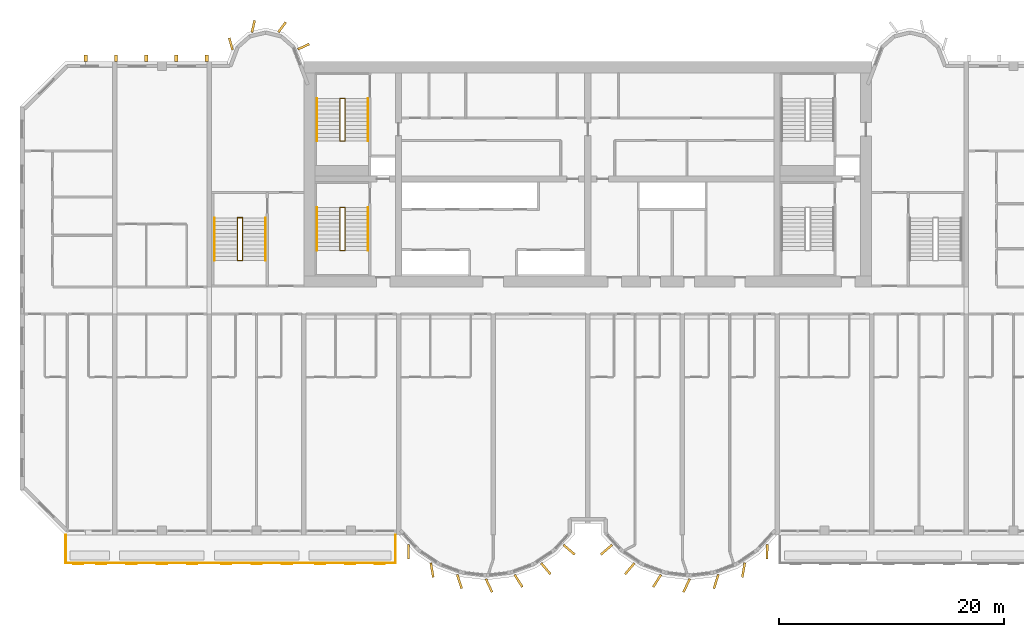
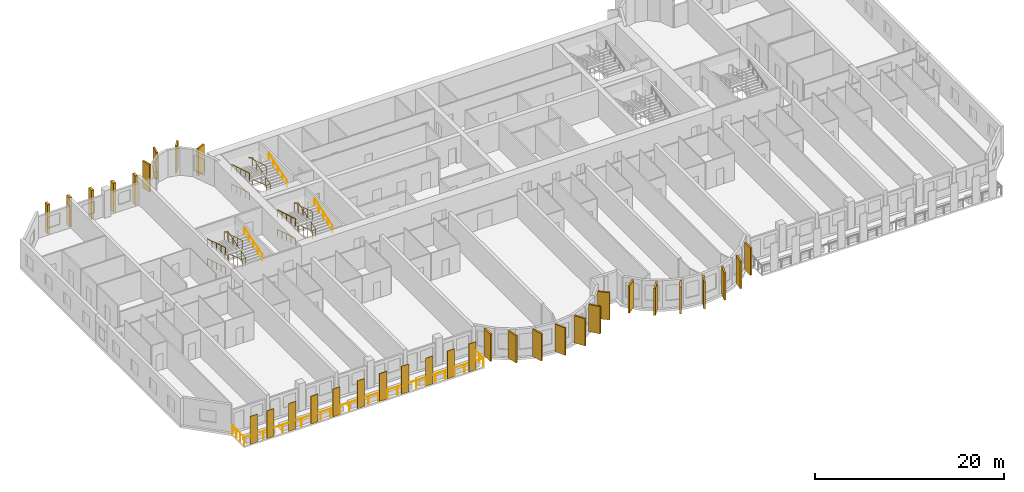
# One storey, part 12 of 14: 34 coverings, 13 railings.
"""IFC4 building model written with IfcOpenShell, lengths in metres."""

from ifc_helpers import new_model, si_unit, direction, frame, origin, origin_2d, place, context, subcontext, project, spatial, rectangle, circle, extrude, source, transform, mapped, material, layer, layer_set, material_profile, profile_set, type_object, element, save


model = new_model("IFC4")

# Units and contexts
model_context = context("Model", 3, precision=1e-05, world=origin(), true_north=direction((0.0, 1.0)))
body_context = subcontext(model_context, "Body", "Model", "MODEL_VIEW")
ifc_project = project(units=[si_unit("LENGTHUNIT", "METRE"), si_unit("AREAUNIT", "SQUARE_METRE"), si_unit("VOLUMEUNIT", "CUBIC_METRE"), si_unit("PLANEANGLEUNIT", "RADIAN"), si_unit("MASSUNIT", "GRAM", prefix="KILO")], contexts=[model_context])

# Site, building, storey
site_placement = place(None, origin())
site = spatial("IfcSite", under=ifc_project, at=site_placement, CompositionType="ELEMENT")
building_placement = place(site_placement, origin())
building = spatial("IfcBuilding", under=site, at=building_placement, Name="Vanashikhar Sky Hotel", CompositionType="ELEMENT")
storey_placement = place(building_placement, frame((0.0, 0.0, 54.39990234375)))
storey = spatial("IfcBuildingStorey", under=building, at=storey_placement, Name="L12", CompositionType="ELEMENT", Elevation=54.39990234375)

# Railing
ifc_material_1 = material(Name="Stainless steel 316", Category="steel")
railing_type_1 = type_object("IfcRailingType", Name="Balcony guard 1100", PredefinedType="GUARDRAIL", material=ifc_material_1)
shared_shape_1 = source(origin(), body_context, "Body", "SweptSolid", [
    extrude(circle(Radius=0.02392578125, at=origin_2d()), frame((0.0, 0.0, 1.076171875), z_axis=(0.0, -1.0, 0.0), x_axis=(1.0, 0.0, 0.0)), (0.0, 0.0, 1.0), 2.5),
    extrude(circle(Radius=0.02392578125, at=origin_2d()), frame((0.0, -2.5, 1.076171875), z_axis=(1.0, 0.0, 0.0), x_axis=(0.0, 1.0, 0.0)), (0.0, 0.0, 1.0), 29.280029296875),
    extrude(circle(Radius=0.02392578125, at=origin_2d()), frame((29.280029296875, -2.5, 1.076171875), z_axis=(0.0, 1.0, 0.0), x_axis=(-1.0, 0.0, 0.0)), (0.0, 0.0, 1.0), 2.5),
    extrude(circle(Radius=0.02099609375, at=origin_2d()), origin(), (0.0, 0.0, 1.0), 1.052001953125),
    extrude(circle(Radius=0.02099609375, at=origin_2d()), frame((0.0, -0.833251953125, 0.0)), (0.0, 0.0, 1.0), 1.052001953125),
    extrude(circle(Radius=0.02099609375, at=origin_2d()), frame((0.0, -1.666748046875, 0.0)), (0.0, 0.0, 1.0), 1.052001953125),
    extrude(circle(Radius=0.02099609375, at=origin_2d()), frame((0.0, -2.5, 0.0)), (0.0, 0.0, 1.0), 1.052001953125),
    extrude(circle(Radius=0.02099609375, at=origin_2d()), frame((1.171142578125, -2.5, 0.0)), (0.0, 0.0, 1.0), 1.052001953125),
    extrude(circle(Radius=0.02099609375, at=origin_2d()), frame((2.34228515625, -2.5, 0.0)), (0.0, 0.0, 1.0), 1.052001953125),
    extrude(circle(Radius=0.02099609375, at=origin_2d()), frame((3.513671875, -2.5, 0.0)), (0.0, 0.0, 1.0), 1.052001953125),
    extrude(circle(Radius=0.02099609375, at=origin_2d()), frame((4.684814453125, -2.5, 0.0)), (0.0, 0.0, 1.0), 1.052001953125),
    extrude(circle(Radius=0.02099609375, at=origin_2d()), frame((5.85595703125, -2.5, 0.0)), (0.0, 0.0, 1.0), 1.052001953125),
    extrude(circle(Radius=0.02099609375, at=origin_2d()), frame((7.027099609375, -2.5, 0.0)), (0.0, 0.0, 1.0), 1.052001953125),
    extrude(circle(Radius=0.02099609375, at=origin_2d()), frame((8.198486328125, -2.5, 0.0)), (0.0, 0.0, 1.0), 1.052001953125),
    extrude(circle(Radius=0.02099609375, at=origin_2d()), frame((9.36962890625, -2.5, 0.0)), (0.0, 0.0, 1.0), 1.052001953125),
    extrude(circle(Radius=0.02099609375, at=origin_2d()), frame((10.540771484375, -2.5, 0.0)), (0.0, 0.0, 1.0), 1.052001953125),
    extrude(circle(Radius=0.02099609375, at=origin_2d()), frame((11.7119140625, -2.5, 0.0)), (0.0, 0.0, 1.0), 1.052001953125),
    extrude(circle(Radius=0.02099609375, at=origin_2d()), frame((12.88330078125, -2.5, 0.0)), (0.0, 0.0, 1.0), 1.052001953125),
    extrude(circle(Radius=0.02099609375, at=origin_2d()), frame((14.054443359375, -2.5, 0.0)), (0.0, 0.0, 1.0), 1.052001953125),
    extrude(circle(Radius=0.02099609375, at=origin_2d()), frame((15.2255859375, -2.5, 0.0)), (0.0, 0.0, 1.0), 1.052001953125),
    extrude(circle(Radius=0.02099609375, at=origin_2d()), frame((16.396728515625, -2.5, 0.0)), (0.0, 0.0, 1.0), 1.052001953125),
    extrude(circle(Radius=0.02099609375, at=origin_2d()), frame((17.568115234375, -2.5, 0.0)), (0.0, 0.0, 1.0), 1.052001953125),
    extrude(circle(Radius=0.02099609375, at=origin_2d()), frame((18.7392578125, -2.5, 0.0)), (0.0, 0.0, 1.0), 1.052001953125),
    extrude(circle(Radius=0.02099609375, at=origin_2d()), frame((19.910400390625, -2.5, 0.0)), (0.0, 0.0, 1.0), 1.052001953125),
    extrude(circle(Radius=0.02099609375, at=origin_2d()), frame((21.08154296875, -2.5, 0.0)), (0.0, 0.0, 1.0), 1.052001953125),
    extrude(circle(Radius=0.02099609375, at=origin_2d()), frame((22.2529296875, -2.5, 0.0)), (0.0, 0.0, 1.0), 1.052001953125),
    extrude(circle(Radius=0.02099609375, at=origin_2d()), frame((23.424072265625, -2.5, 0.0)), (0.0, 0.0, 1.0), 1.052001953125),
    extrude(circle(Radius=0.02099609375, at=origin_2d()), frame((24.59521484375, -2.5, 0.0)), (0.0, 0.0, 1.0), 1.052001953125),
    extrude(circle(Radius=0.02099609375, at=origin_2d()), frame((25.766357421875, -2.5, 0.0)), (0.0, 0.0, 1.0), 1.052001953125),
    extrude(circle(Radius=0.02099609375, at=origin_2d()), frame((26.937744140625, -2.5, 0.0)), (0.0, 0.0, 1.0), 1.052001953125),
    extrude(circle(Radius=0.02099609375, at=origin_2d()), frame((28.10888671875, -2.5, 0.0)), (0.0, 0.0, 1.0), 1.052001953125),
    extrude(circle(Radius=0.02099609375, at=origin_2d()), frame((29.280029296875, -2.5, 0.0)), (0.0, 0.0, 1.0), 1.052001953125),
    extrude(circle(Radius=0.02099609375, at=origin_2d()), frame((29.280029296875, -1.666748046875, 0.0)), (0.0, 0.0, 1.0), 1.052001953125),
    extrude(circle(Radius=0.02099609375, at=origin_2d()), frame((29.280029296875, -0.833251953125, 0.0)), (0.0, 0.0, 1.0), 1.052001953125),
    extrude(circle(Radius=0.02099609375, at=origin_2d()), frame((29.280029296875, 0.0, 0.0)), (0.0, 0.0, 1.0), 1.052001953125),
])
railing_1_placement = place(storey_placement, frame((4.06005859375, 0.0, -0.0498046875)))
element("IfcRailing", 1, at=railing_1_placement, inside=storey, type_object=railing_type_1, Name="Balcony guard", PredefinedType="GUARDRAIL", context=body_context, shape_type="MappedRepresentation", body=[
    mapped(shared_shape_1, transform((0.0, 0.0, 0.0), scale=1.0)),
])

# Coverings
ifc_material_2 = material(Name="Terracotta", Category="masonry")
ifc_layer = layer(ifc_material_2, 0.06005859375)
ifc_layer_set = layer_set([ifc_layer], Name="Terracotta baguette screen")
covering_type_1 = type_object("IfcCoveringType", Name="Terracotta baguette screen", PredefinedType="CLADDING", material=ifc_layer_set)
shared_shape_2 = source(origin(), body_context, "Body", "SweptSolid", [
    extrude(rectangle(XDim=0.89990234375, YDim=0.06005859375, at=origin_2d()), origin(), (0.0, 0.0, 1.0), 3.60009765625),
])
for number, where, z_axis, x_axis, name in (
    (2, (5.175048828125, -2.570068359375, -0.050048828125), (0.0, 0.0, 1.0), (1.0, 0.0, 0.0), "Terracotta screen"),
    (3, (7.22509765625, -2.570068359375, -0.050048828125), (0.0, 0.0, 1.0), (1.0, 0.0, 0.0), "Terracotta screen"),
    (4, (9.89990234375, -2.570068359375, -0.050048828125), (0.0, 0.0, 1.0), (1.0, 0.0, 0.0), "Terracotta screen"),
    (5, (12.60009765625, -2.570068359375, -0.050048828125), (0.0, 0.0, 1.0), (1.0, 0.0, 0.0), "Terracotta screen"),
    (6, (15.300048828125, -2.570068359375, -0.050048828125), (0.0, 0.0, 1.0), (1.0, 0.0, 0.0), "Terracotta screen"),
    (7, (18.300048828125, -2.570068359375, -0.050048828125), (0.0, 0.0, 1.0), (1.0, 0.0, 0.0), "Terracotta screen"),
    (8, (21.0, -2.570068359375, -0.050048828125), (0.0, 0.0, 1.0), (1.0, 0.0, 0.0), "Terracotta screen"),
    (9, (23.699951171875, -2.570068359375, -0.050048828125), (0.0, 0.0, 1.0), (1.0, 0.0, 0.0), "Terracotta screen"),
    (10, (26.666748046875, -2.570068359375, -0.050048828125), (0.0, 0.0, 1.0), (1.0, 0.0, 0.0), "Terracotta screen"),
    (11, (29.300048828125, -2.570068359375, -0.050048828125), (0.0, 0.0, 1.0), (1.0, 0.0, 0.0), "Terracotta screen"),
    (12, (31.933349609375, -2.570068359375, -0.050048828125), (0.0, 0.0, 1.0), (1.0, 0.0, 0.0), "Terracotta screen"),
):
    element("IfcCovering", number, at=place(storey_placement, frame(where, z_axis=z_axis, x_axis=x_axis)), inside=storey, type_object=covering_type_1, Name=name, PredefinedType="CLADDING", context=body_context, shape_type="MappedRepresentation", body=[
        mapped(shared_shape_2, transform((0.0, 0.0, 0.0), scale=1.0)),
    ])
ifc_material_3 = material(Name="Concrete M60 dark", Category="concrete")
ifc_material_profile_1 = material_profile(ifc_material_3, rectangle(XDim=1.300048828125, YDim=0.199951171875, at=origin_2d()))
ifc_profile_set_1 = profile_set([ifc_material_profile_1], Name="Fin 1300 x 200")
covering_type_2 = type_object("IfcCoveringType", Name="Fin 1300 x 200", PredefinedType="CLADDING", material=ifc_profile_set_1)
shared_shape_3 = source(origin(), body_context, "Body", "SweptSolid", [
    extrude(rectangle(XDim=1.300048828125, YDim=0.199951171875, at=origin_2d()), origin(), (0.0, 0.0, 1.0), 3.52001953125),
])
for number, where, z_axis, x_axis, name in (
    (13, (34.482421875, -1.507080078125, 0.0), (0.0, 0.0, 1.0), (0.011588726826, -0.999932848451, 0.0), "Fin F1-1"),
    (14, (36.572509765625, -3.1220703125, 0.0), (0.0, 0.0, 1.0), (0.16989991575, -0.985461322746, 0.0), "Fin F1-2"),
    (15, (39.00830078125, -4.14306640625, 0.0), (0.0, 0.0, 1.0), (0.303966551867, -0.952682704444, 0.0), "Fin F1-3"),
    (16, (41.63232421875, -4.49853515625, 0.0), (0.0, 0.0, 1.0), (0.422618261741, -0.906307787037, 0.0), "Fin F1-4"),
    (17, (44.251953125, -4.083984375, 0.0), (0.0, 0.0, 1.0), (0.534411358496, -0.845224526331, 0.0), "Fin F1-5"),
    (18, (46.676025390625, -3.0, 0.0), (0.0, 0.0, 1.0), (0.645697609467, -0.763593214433, 0.0), "Fin F1-6"),
    (19, (48.7412109375, -1.3154296875, 0.0), (0.0, 0.0, 1.0), (0.758543912032, -0.65162192529, 0.0), "Fin F1-7"),
    (20, (52.058837890625, -1.3154296875, 0.0), (0.0, 0.0, 1.0), (-0.758543912032, -0.65162192529, 0.0), "Fin F2-1"),
    (21, (54.123779296875, -3.0, 0.0), (0.0, 0.0, 1.0), (-0.645697609467, -0.763593214433, 0.0), "Fin F2-2"),
    (22, (56.547119140625, -4.083984375, 0.0), (0.0, 0.0, 1.0), (-0.534411358496, -0.845224526331, 0.0), "Fin F2-3"),
    (23, (59.16748046875, -4.49853515625, 0.0), (0.0, 0.0, 1.0), (-0.422618261741, -0.906307787037, 0.0), "Fin F2-4"),
    (24, (61.790771484375, -4.14306640625, 0.0), (0.0, 0.0, 1.0), (-0.303966551867, -0.952682704444, 0.0), "Fin F2-5"),
    (25, (64.2275390625, -3.1220703125, 0.0), (0.0, 0.0, 1.0), (-0.16989991575, -0.985461322746, 0.0), "Fin F2-6"),
    (26, (66.317626953125, -1.507080078125, 0.0), (0.0, 0.0, 1.0), (-0.011588726826, -0.999932848451, 0.0), "Fin F2-7"),
):
    element("IfcCovering", number, at=place(storey_placement, frame(where, z_axis=z_axis, x_axis=x_axis)), inside=storey, type_object=covering_type_2, Name=name, PredefinedType="CLADDING", context=body_context, shape_type="MappedRepresentation", body=[
        mapped(shared_shape_3, transform((0.0, 0.0, 0.0), scale=1.0)),
    ])
ifc_material_profile_2 = material_profile(ifc_material_3, rectangle(XDim=1.10009765625, YDim=0.199951171875, at=origin_2d()))
ifc_profile_set_2 = profile_set([ifc_material_profile_2], Name="Rear lobe fin 1100 x 200")
covering_type_3 = type_object("IfcCoveringType", Name="Rear lobe fin 1100 x 200", PredefinedType="CLADDING", material=ifc_profile_set_2)
shared_shape_4 = source(origin(), body_context, "Body", "SweptSolid", [
    extrude(rectangle(XDim=1.10009765625, YDim=0.199951171875, at=origin_2d()), origin(), (0.0, 0.0, 1.0), 3.52001953125),
])
for number, where, z_axis, x_axis, name in (
    (27, (18.720703125, 43.580078125, 0.0), (0.0, 0.0, 1.0), (-0.262711264409, 0.964874495234, 0.0), "Fin R1-1"),
    (28, (20.710205078125, 45.1455078125, 0.0), (0.0, 0.0, 1.0), (0.224644935864, 0.974440687159, 0.0), "Fin R1-2"),
    (29, (23.261962890625, 45.06640625, 0.0), (0.0, 0.0, 1.0), (0.602065892195, 0.798446404874, 0.0), "Fin R1-3"),
    (30, (25.169677734375, 43.33447265625, 0.0), (0.0, 0.0, 1.0), (0.908004291068, 0.418960866193, 0.0), "Fin R1-4"),
):
    element("IfcCovering", number, at=place(storey_placement, frame(where, z_axis=z_axis, x_axis=x_axis)), inside=storey, type_object=covering_type_3, Name=name, PredefinedType="CLADDING", context=body_context, shape_type="MappedRepresentation", body=[
        mapped(shared_shape_4, transform((0.0, 0.0, 0.0), scale=1.0)),
    ])
ifc_material_profile_3 = material_profile(ifc_material_3, rectangle(XDim=0.60009765625, YDim=0.300048828125, at=origin_2d()))
ifc_profile_set_3 = profile_set([ifc_material_profile_3], Name="Rear rib 600 x 300")
covering_type_4 = type_object("IfcCoveringType", Name="Rear rib 600 x 300", PredefinedType="CLADDING", material=ifc_profile_set_3)
shared_shape_5 = source(origin(), body_context, "Body", "SweptSolid", [
    extrude(rectangle(XDim=0.60009765625, YDim=0.300048828125, at=origin_2d()), origin(), (0.0, 0.0, 1.0), 3.7998046875),
])
for number, where, z_axis, x_axis, name in (
    (31, (5.840087890625, 42.300048828125, -0.27978515625), (0.0, 0.0, 1.0), (0.0, 1.0, 0.0), "Rear rib"),
    (32, (8.52001953125, 42.300048828125, -0.27978515625), (0.0, 0.0, 1.0), (0.0, 1.0, 0.0), "Rear rib"),
    (33, (11.199951171875, 42.300048828125, -0.27978515625), (0.0, 0.0, 1.0), (0.0, 1.0, 0.0), "Rear rib"),
    (34, (13.8798828125, 42.300048828125, -0.27978515625), (0.0, 0.0, 1.0), (0.0, 1.0, 0.0), "Rear rib"),
    (35, (16.56005859375, 42.300048828125, -0.27978515625), (0.0, 0.0, 1.0), (0.0, 1.0, 0.0), "Rear rib"),
):
    element("IfcCovering", number, at=place(storey_placement, frame(where, z_axis=z_axis, x_axis=x_axis)), inside=storey, type_object=covering_type_4, Name=name, PredefinedType="CLADDING", context=body_context, shape_type="MappedRepresentation", body=[
        mapped(shared_shape_5, transform((0.0, 0.0, 0.0), scale=1.0)),
    ])

# Railings
ifc_material_4 = material(Name="Steel S355", Category="steel")
railing_type_2 = type_object("IfcRailingType", Name="Stair handrail 900", PredefinedType="HANDRAIL", material=ifc_material_4)
shared_shape_6 = source(origin(), body_context, "Body", "SweptSolid", [
    extrude(circle(Radius=0.02392578125, at=origin_2d()), frame((0.0, 0.0, 0.8759765625), z_axis=(0.0, 0.95635109408, 0.292220096591), x_axis=(-1.0, 0.0, 0.0)), (0.0, 0.0, 1.0), 3.973388671875),
    extrude(circle(Radius=0.02099609375, at=origin_2d()), origin(), (0.0, 0.0, 1.0), 0.851806640625),
    extrude(circle(Radius=0.02099609375, at=origin_2d()), frame((0.0, 0.949951171875, 0.290283203125)), (0.0, 0.0, 1.0), 0.851806640625),
    extrude(circle(Radius=0.02099609375, at=origin_2d()), frame((0.0, 1.89990234375, 0.58056640625)), (0.0, 0.0, 1.0), 0.851806640625),
    extrude(circle(Radius=0.02099609375, at=origin_2d()), frame((0.0, 2.85009765625, 0.870849609375)), (0.0, 0.0, 1.0), 0.851806640625),
    extrude(circle(Radius=0.02099609375, at=origin_2d()), frame((0.0, 3.800048828125, 1.1611328125)), (0.0, 0.0, 1.0), 0.851806640625),
])
for number, where, name in (
    (36, (30.89990234375, 25.25, 1.372314453125), "Exit stair 1 handrail"),
    (37, (30.89990234375, 34.949951171875, 1.372314453125), "Exit stair 5 handrail"),
):
    element("IfcRailing", number, at=place(storey_placement, frame(where)), inside=storey, type_object=railing_type_2, Name=name, PredefinedType="HANDRAIL", context=body_context, shape_type="MappedRepresentation", body=[
        mapped(shared_shape_6, transform((0.0, 0.0, 0.0), scale=1.0)),
    ])
shared_shape_7 = source(origin(), body_context, "Body", "SweptSolid", [
    extrude(circle(Radius=0.02392578125, at=origin_2d()), frame((0.0, 0.0, 0.8759765625), z_axis=(0.0, -0.95635109408, 0.292220096591), x_axis=(1.0, 0.0, 0.0)), (0.0, 0.0, 1.0), 3.973388671875),
    extrude(circle(Radius=0.02099609375, at=origin_2d()), origin(), (0.0, 0.0, 1.0), 0.851806640625),
    extrude(circle(Radius=0.02099609375, at=origin_2d()), frame((0.0, -0.949951171875, 0.290283203125)), (0.0, 0.0, 1.0), 0.851806640625),
    extrude(circle(Radius=0.02099609375, at=origin_2d()), frame((0.0, -1.89990234375, 0.58056640625)), (0.0, 0.0, 1.0), 0.851806640625),
    extrude(circle(Radius=0.02099609375, at=origin_2d()), frame((0.0, -2.85009765625, 0.870849609375)), (0.0, 0.0, 1.0), 0.851806640625),
    extrude(circle(Radius=0.02099609375, at=origin_2d()), frame((0.0, -3.800048828125, 1.1611328125)), (0.0, 0.0, 1.0), 0.851806640625),
])
for number, where, name in (
    (38, (26.35009765625, 29.050048828125, 0.105712890625), "Exit stair 1 handrail"),
    (39, (26.35009765625, 29.050048828125, 2.638916015625), "Exit stair 1 handrail"),
    (40, (26.35009765625, 38.75, 0.105712890625), "Exit stair 5 handrail"),
    (41, (26.35009765625, 38.75, 2.638916015625), "Exit stair 5 handrail"),
):
    element("IfcRailing", number, at=place(storey_placement, frame(where)), inside=storey, type_object=railing_type_2, Name=name, PredefinedType="HANDRAIL", context=body_context, shape_type="MappedRepresentation", body=[
        mapped(shared_shape_7, transform((0.0, 0.0, 0.0), scale=1.0)),
    ])
railing_type_3 = type_object("IfcRailingType", Name="Stair guard 1100", PredefinedType="GUARDRAIL", material=ifc_material_4)
shared_shape_8 = source(origin(), body_context, "Body", "SweptSolid", [
    extrude(circle(Radius=0.02392578125, at=origin_2d()), frame((0.0, 0.0, 1.076171875), z_axis=(-0.973520925263, 0.0, 0.228597917917), x_axis=(0.0, -1.0, 0.0)), (0.0, 0.0, 1.0), 0.46240234375),
    extrude(circle(Radius=0.02392578125, at=origin_2d()), frame((-0.4501953125, 0.0, 1.181640625), z_axis=(0.0, -0.95635109408, 0.292220096591), x_axis=(1.0, 0.0, 0.0)), (0.0, 0.0, 1.0), 3.973388671875),
    extrude(circle(Radius=0.02392578125, at=origin_2d()), frame((-0.4501953125, -3.800048828125, 2.3427734375), z_axis=(0.973638301096, 0.0, 0.228097476179), x_axis=(0.0, 1.0, 0.0)), (0.0, 0.0, 1.0), 0.46240234375),
    extrude(circle(Radius=0.02392578125, at=origin_2d()), frame((0.0, -3.800048828125, 2.4482421875), z_axis=(0.0, 0.95635109408, 0.292220096591), x_axis=(-1.0, 0.0, 0.0)), (0.0, 0.0, 1.0), 3.973388671875),
    extrude(circle(Radius=0.02392578125, at=origin_2d()), frame((0.0, 0.0, 3.609375), z_axis=(-0.973638301096, 0.0, 0.228097476179), x_axis=(0.0, -1.0, 0.0)), (0.0, 0.0, 1.0), 0.46240234375),
    extrude(circle(Radius=0.02392578125, at=origin_2d()), frame((-0.4501953125, 0.0, 3.71484375), z_axis=(0.0, -0.95635109408, 0.292220096591), x_axis=(1.0, 0.0, 0.0)), (0.0, 0.0, 1.0), 3.973388671875),
    extrude(circle(Radius=0.02099609375, at=origin_2d()), origin(), (0.0, 0.0, 1.0), 1.052001953125),
    extrude(circle(Radius=0.02099609375, at=origin_2d()), frame((-0.4501953125, 0.0, 0.105712890625)), (0.0, 0.0, 1.0), 1.052001953125),
    extrude(circle(Radius=0.02099609375, at=origin_2d()), frame((-0.4501953125, -0.949951171875, 0.39599609375)), (0.0, 0.0, 1.0), 1.052001953125),
    extrude(circle(Radius=0.02099609375, at=origin_2d()), frame((-0.4501953125, -1.89990234375, 0.686279296875)), (0.0, 0.0, 1.0), 1.052001953125),
    extrude(circle(Radius=0.02099609375, at=origin_2d()), frame((-0.4501953125, -2.85009765625, 0.9765625)), (0.0, 0.0, 1.0), 1.052001953125),
    extrude(circle(Radius=0.02099609375, at=origin_2d()), frame((-0.4501953125, -3.800048828125, 1.266845703125)), (0.0, 0.0, 1.0), 1.052001953125),
    extrude(circle(Radius=0.02099609375, at=origin_2d()), frame((0.0, -3.800048828125, 1.372314453125)), (0.0, 0.0, 1.0), 1.052001953125),
    extrude(circle(Radius=0.02099609375, at=origin_2d()), frame((0.0, -2.85009765625, 1.66259765625)), (0.0, 0.0, 1.0), 1.052001953125),
    extrude(circle(Radius=0.02099609375, at=origin_2d()), frame((0.0, -1.89990234375, 1.952880859375)), (0.0, 0.0, 1.0), 1.052001953125),
    extrude(circle(Radius=0.02099609375, at=origin_2d()), frame((0.0, -0.949951171875, 2.2431640625)), (0.0, 0.0, 1.0), 1.052001953125),
    extrude(circle(Radius=0.02099609375, at=origin_2d()), frame((0.0, 0.0, 2.533447265625)), (0.0, 0.0, 1.0), 1.052001953125),
    extrude(circle(Radius=0.02099609375, at=origin_2d()), frame((-0.4501953125, 0.0, 2.638916015625)), (0.0, 0.0, 1.0), 1.052001953125),
    extrude(circle(Radius=0.02099609375, at=origin_2d()), frame((-0.4501953125, -0.949951171875, 2.92919921875)), (0.0, 0.0, 1.0), 1.052001953125),
    extrude(circle(Radius=0.02099609375, at=origin_2d()), frame((-0.4501953125, -1.89990234375, 3.219482421875)), (0.0, 0.0, 1.0), 1.052001953125),
    extrude(circle(Radius=0.02099609375, at=origin_2d()), frame((-0.4501953125, -2.85009765625, 3.509765625)), (0.0, 0.0, 1.0), 1.052001953125),
    extrude(circle(Radius=0.02099609375, at=origin_2d()), frame((-0.4501953125, -3.800048828125, 3.800048828125)), (0.0, 0.0, 1.0), 1.052001953125),
])
for number, where, name in (
    (42, (28.85009765625, 29.050048828125, 0.0), "Exit stair 1 guard"),
    (43, (28.85009765625, 38.75, 0.0), "Exit stair 5 guard"),
):
    element("IfcRailing", number, at=place(storey_placement, frame(where)), inside=storey, type_object=railing_type_3, Name=name, PredefinedType="GUARDRAIL", context=body_context, shape_type="MappedRepresentation", body=[
        mapped(shared_shape_8, transform((0.0, 0.0, 0.0), scale=1.0)),
    ])
shared_shape_9 = source(origin(), body_context, "Body", "SweptSolid", [
    extrude(circle(Radius=0.02392578125, at=origin_2d()), frame((0.0, 0.0, 0.8759765625), z_axis=(0.0, 0.956345846891, 0.292237268557), x_axis=(-1.0, 0.0, 0.0)), (0.0, 0.0, 1.0), 3.97314453125),
    extrude(circle(Radius=0.02099609375, at=origin_2d()), origin(), (0.0, 0.0, 1.0), 0.851806640625),
    extrude(circle(Radius=0.02099609375, at=origin_2d()), frame((0.0, 0.949951171875, 0.290283203125)), (0.0, 0.0, 1.0), 0.851806640625),
    extrude(circle(Radius=0.02099609375, at=origin_2d()), frame((0.0, 1.89990234375, 0.58056640625)), (0.0, 0.0, 1.0), 0.851806640625),
    extrude(circle(Radius=0.02099609375, at=origin_2d()), frame((0.0, 2.849853515625, 0.870849609375)), (0.0, 0.0, 1.0), 0.851806640625),
    extrude(circle(Radius=0.02099609375, at=origin_2d()), frame((0.0, 3.7998046875, 1.1611328125)), (0.0, 0.0, 1.0), 0.851806640625),
])
railing_2_placement = place(storey_placement, frame((21.800048828125, 24.35009765625, 1.372314453125)))
element("IfcRailing", 44, at=railing_2_placement, inside=storey, type_object=railing_type_2, Name="Exit stair 3 handrail", PredefinedType="HANDRAIL", context=body_context, shape_type="MappedRepresentation", body=[
    mapped(shared_shape_9, transform((0.0, 0.0, 0.0), scale=1.0)),
])
shared_shape_10 = source(origin(), body_context, "Body", "SweptSolid", [
    extrude(circle(Radius=0.02392578125, at=origin_2d()), frame((0.0, 0.0, 0.8759765625), z_axis=(0.0, -0.956345846891, 0.292237268557), x_axis=(1.0, 0.0, 0.0)), (0.0, 0.0, 1.0), 3.97314453125),
    extrude(circle(Radius=0.02099609375, at=origin_2d()), origin(), (0.0, 0.0, 1.0), 0.851806640625),
    extrude(circle(Radius=0.02099609375, at=origin_2d()), frame((0.0, -0.949951171875, 0.290283203125)), (0.0, 0.0, 1.0), 0.851806640625),
    extrude(circle(Radius=0.02099609375, at=origin_2d()), frame((0.0, -1.89990234375, 0.58056640625)), (0.0, 0.0, 1.0), 0.851806640625),
    extrude(circle(Radius=0.02099609375, at=origin_2d()), frame((0.0, -2.849853515625, 0.870849609375)), (0.0, 0.0, 1.0), 0.851806640625),
    extrude(circle(Radius=0.02099609375, at=origin_2d()), frame((0.0, -3.7998046875, 1.1611328125)), (0.0, 0.0, 1.0), 0.851806640625),
])
for number, where, name in (
    (45, (17.25, 28.14990234375, 0.105712890625), "Exit stair 3 handrail"),
    (46, (17.25, 28.14990234375, 2.638916015625), "Exit stair 3 handrail"),
):
    element("IfcRailing", number, at=place(storey_placement, frame(where)), inside=storey, type_object=railing_type_2, Name=name, PredefinedType="HANDRAIL", context=body_context, shape_type="MappedRepresentation", body=[
        mapped(shared_shape_10, transform((0.0, 0.0, 0.0), scale=1.0)),
    ])
shared_shape_11 = source(origin(), body_context, "Body", "SweptSolid", [
    extrude(circle(Radius=0.02392578125, at=origin_2d()), frame((0.0, 0.0, 1.076171875), z_axis=(-0.973493315427, 0.0, 0.228715466945), x_axis=(0.0, -1.0, 0.0)), (0.0, 0.0, 1.0), 0.462158203125),
    extrude(circle(Radius=0.02392578125, at=origin_2d()), frame((-0.449951171875, 0.0, 1.181640625), z_axis=(0.0, -0.956345846891, 0.292237268557), x_axis=(1.0, 0.0, 0.0)), (0.0, 0.0, 1.0), 3.97314453125),
    extrude(circle(Radius=0.02392578125, at=origin_2d()), frame((-0.449951171875, -3.7998046875, 2.3427734375), z_axis=(0.973610808694, 0.0, 0.228214796178), x_axis=(0.0, 1.0, 0.0)), (0.0, 0.0, 1.0), 0.462158203125),
    extrude(circle(Radius=0.02392578125, at=origin_2d()), frame((0.0, -3.7998046875, 2.4482421875), z_axis=(0.0, 0.956345846891, 0.292237268557), x_axis=(-1.0, 0.0, 0.0)), (0.0, 0.0, 1.0), 3.97314453125),
    extrude(circle(Radius=0.02392578125, at=origin_2d()), frame((0.0, 0.0, 3.609375), z_axis=(-0.973610808694, 0.0, 0.228214796178), x_axis=(0.0, -1.0, 0.0)), (0.0, 0.0, 1.0), 0.462158203125),
    extrude(circle(Radius=0.02392578125, at=origin_2d()), frame((-0.449951171875, 0.0, 3.71484375), z_axis=(0.0, -0.956345846891, 0.292237268557), x_axis=(1.0, 0.0, 0.0)), (0.0, 0.0, 1.0), 3.97314453125),
    extrude(circle(Radius=0.02099609375, at=origin_2d()), origin(), (0.0, 0.0, 1.0), 1.052001953125),
    extrude(circle(Radius=0.02099609375, at=origin_2d()), frame((-0.449951171875, 0.0, 0.105712890625)), (0.0, 0.0, 1.0), 1.052001953125),
    extrude(circle(Radius=0.02099609375, at=origin_2d()), frame((-0.449951171875, -0.949951171875, 0.39599609375)), (0.0, 0.0, 1.0), 1.052001953125),
    extrude(circle(Radius=0.02099609375, at=origin_2d()), frame((-0.449951171875, -1.89990234375, 0.686279296875)), (0.0, 0.0, 1.0), 1.052001953125),
    extrude(circle(Radius=0.02099609375, at=origin_2d()), frame((-0.449951171875, -2.849853515625, 0.9765625)), (0.0, 0.0, 1.0), 1.052001953125),
    extrude(circle(Radius=0.02099609375, at=origin_2d()), frame((-0.449951171875, -3.7998046875, 1.266845703125)), (0.0, 0.0, 1.0), 1.052001953125),
    extrude(circle(Radius=0.02099609375, at=origin_2d()), frame((0.0, -3.7998046875, 1.372314453125)), (0.0, 0.0, 1.0), 1.052001953125),
    extrude(circle(Radius=0.02099609375, at=origin_2d()), frame((0.0, -2.849853515625, 1.66259765625)), (0.0, 0.0, 1.0), 1.052001953125),
    extrude(circle(Radius=0.02099609375, at=origin_2d()), frame((0.0, -1.89990234375, 1.952880859375)), (0.0, 0.0, 1.0), 1.052001953125),
    extrude(circle(Radius=0.02099609375, at=origin_2d()), frame((0.0, -0.949951171875, 2.2431640625)), (0.0, 0.0, 1.0), 1.052001953125),
    extrude(circle(Radius=0.02099609375, at=origin_2d()), frame((0.0, 0.0, 2.533447265625)), (0.0, 0.0, 1.0), 1.052001953125),
    extrude(circle(Radius=0.02099609375, at=origin_2d()), frame((-0.449951171875, 0.0, 2.638916015625)), (0.0, 0.0, 1.0), 1.052001953125),
    extrude(circle(Radius=0.02099609375, at=origin_2d()), frame((-0.449951171875, -0.949951171875, 2.92919921875)), (0.0, 0.0, 1.0), 1.052001953125),
    extrude(circle(Radius=0.02099609375, at=origin_2d()), frame((-0.449951171875, -1.89990234375, 3.219482421875)), (0.0, 0.0, 1.0), 1.052001953125),
    extrude(circle(Radius=0.02099609375, at=origin_2d()), frame((-0.449951171875, -2.849853515625, 3.509765625)), (0.0, 0.0, 1.0), 1.052001953125),
    extrude(circle(Radius=0.02099609375, at=origin_2d()), frame((-0.449951171875, -3.7998046875, 3.800048828125)), (0.0, 0.0, 1.0), 1.052001953125),
])
railing_3_placement = place(storey_placement, frame((19.75, 28.14990234375, 0.0)))
element("IfcRailing", 47, at=railing_3_placement, inside=storey, type_object=railing_type_3, Name="Exit stair 3 guard", PredefinedType="GUARDRAIL", context=body_context, shape_type="MappedRepresentation", body=[
    mapped(shared_shape_11, transform((0.0, 0.0, 0.0), scale=1.0)),
])

save(model, "model.ifc")
